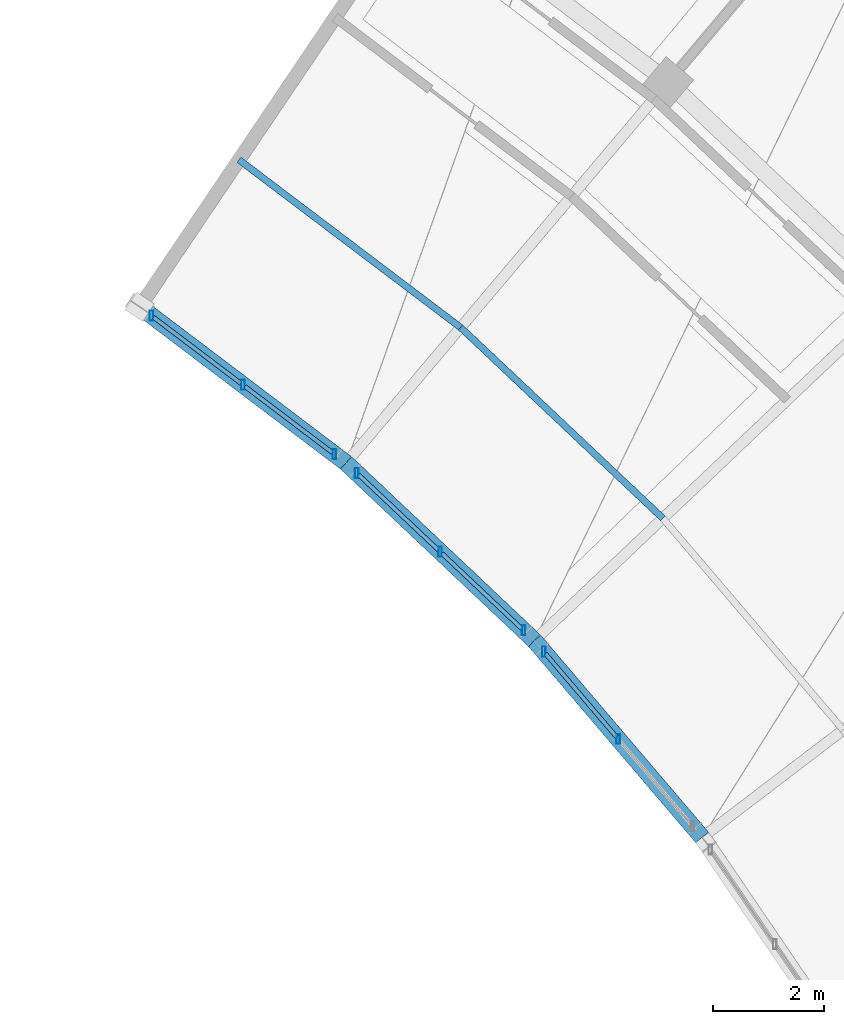
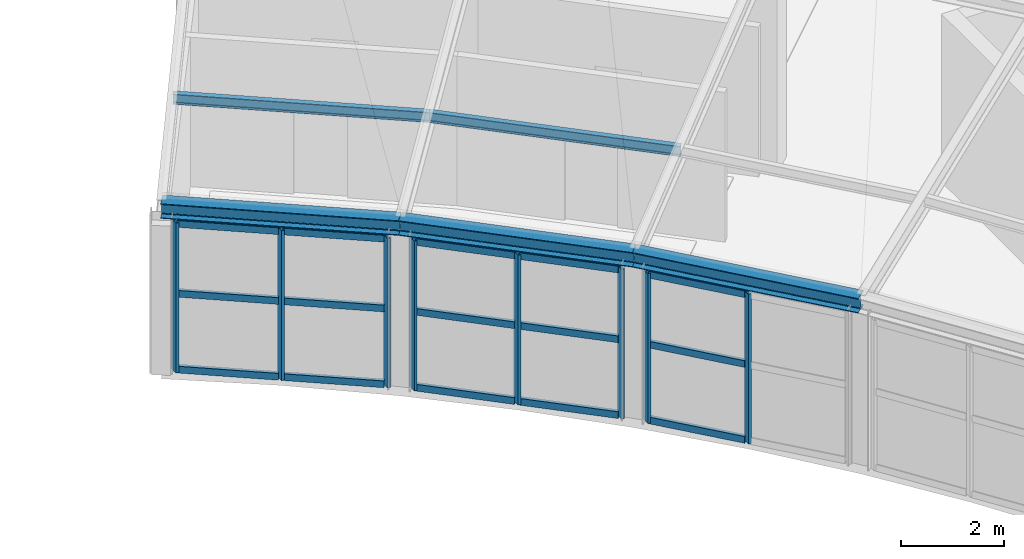
# One storey, part 11 of 36: 25 members, 3 beams, 3 elements without a shape of their own.
"""IFC4 building model written with IfcOpenShell, lengths in metres."""

import ifcopenshell
import ifcopenshell.guid

model = None  # the IFC model being written
_history = None  # IfcOwnerHistory: only IFC2X3 demands one
_inside = {}  # id of a spatial element -> (the spatial element, [elements in it])
_under = {}  # id of a project, library or spatial element -> (it, [spatial elements below it])
_declared = {}  # id of a project -> (the project, [libraries it declares])
_typed = {}  # id of a type object -> (the type object, [elements of that type])
_made_of = {}  # id of a material, layer set ... -> (it, [elements and type objects made of it])


def new_model(schema):
    """Start an empty IFC model of exactly this schema.

    Asked for "IFC4X3", IfcOpenShell would pick the latest addendum, in which some entities
    have other attributes; the version numbers below select the first issue.
    IFC2X3 requires an IfcOwnerHistory on every rooted entity: one is made here for all.
    """
    global model, _history
    if schema == "IFC4X3":
        model = ifcopenshell.file(schema_version=(4, 3, 0, 0))
    else:
        model = ifcopenshell.file(schema=schema)
    _inside.clear()
    _under.clear()
    _declared.clear()
    _typed.clear()
    _made_of.clear()
    _history = None
    if model.schema == "IFC2X3":
        org = make("IfcOrganization", Name="unknown")
        user = make(
            "IfcPersonAndOrganization",
            ThePerson=make("IfcPerson", FamilyName="unknown"),
            TheOrganization=org,
        )
        app = make(
            "IfcApplication",
            ApplicationDeveloper=org,
            Version="unknown",
            ApplicationFullName="unknown",
            ApplicationIdentifier="unknown",
        )
        _history = make(
            "IfcOwnerHistory",
            OwningUser=user,
            OwningApplication=app,
            ChangeAction="ADDED",
            CreationDate=0,
        )
    return model


def make(cls, **values):
    """One entity of the class cls with the attributes given. An attribute that is None is left unset."""
    return model.create_entity(
        cls, **{name: value for name, value in values.items() if value is not None}
    )


def rooted(cls, **values):
    """An entity with a GlobalId (a new one), such as an element, a storey or a relation."""
    return make(cls, GlobalId=ifcopenshell.guid.new(), OwnerHistory=_history, **values)


def si_unit(unit_type, name, prefix=None):
    """IfcSIUnit, for example si_unit("LENGTHUNIT", "METRE", prefix="MILLI")."""
    return make("IfcSIUnit", UnitType=unit_type, Prefix=prefix, Name=name)


def assignment(units):
    """IfcUnitAssignment: the units of a project."""
    return None if units is None else make("IfcUnitAssignment", Units=units)


def point(xyz):
    """IfcCartesianPoint."""
    return None if xyz is None else make("IfcCartesianPoint", Coordinates=xyz)


def direction(xyz):
    """IfcDirection."""
    return None if xyz is None else make("IfcDirection", DirectionRatios=xyz)


def frame(location, z_axis=None, x_axis=None):
    """IfcAxis2Placement3D, a coordinate frame: its origin and axes. An axis left out is left unset."""
    return make(
        "IfcAxis2Placement3D",
        Location=point(location),
        Axis=direction(z_axis),
        RefDirection=direction(x_axis),
    )


def frame_2d(location, x_axis=None):
    """IfcAxis2Placement2D, a coordinate frame in the plane: its origin and x axis."""
    return make(
        "IfcAxis2Placement2D", Location=point(location), RefDirection=direction(x_axis)
    )


def origin():
    """The frame at (0, 0, 0) with its axes left unset."""
    return frame((0.0, 0.0, 0.0))


def origin_2d():
    """The frame at (0, 0) in the plane with its x axis left unset."""
    return frame_2d((0.0, 0.0))


def place(relative_to, where):
    """IfcLocalPlacement: puts the frame where relative to a parent placement (None: the world)."""
    return make(
        "IfcLocalPlacement", PlacementRelTo=relative_to, RelativePlacement=where
    )


def context(
    kind, dimensions, precision=None, world=None, true_north=None, identifier=None
):
    """IfcGeometricRepresentationContext, for example the 3D "Model" context."""
    return make(
        "IfcGeometricRepresentationContext",
        ContextIdentifier=identifier,
        ContextType=kind,
        CoordinateSpaceDimension=dimensions,
        Precision=precision,
        WorldCoordinateSystem=world,
        TrueNorth=true_north,
    )


def subcontext(parent, identifier, kind, view, scale=None):
    """IfcGeometricRepresentationSubContext, for example "Body" below "Model"."""
    return make(
        "IfcGeometricRepresentationSubContext",
        ContextIdentifier=identifier,
        ContextType=kind,
        ParentContext=parent,
        TargetScale=scale,
        TargetView=view,
    )


def project(units=None, contexts=None):
    """IfcProject with its units and contexts."""
    return rooted(
        "IfcProject",
        Name="project",
        RepresentationContexts=contexts,
        UnitsInContext=assignment(units),
    )


def spatial(cls, under=None, at=None, **own):
    """A site, building, storey or space (cls), placed at a placement, below another one or the project."""
    s = rooted(cls, ObjectPlacement=at, **own)
    if under is not None:
        _under.setdefault(under.id(), (under, []))[1].append(s)
    return s


def profile(cls, at=None, kind="AREA", **sizes):
    """A parametric profile (cls). Its sizes go by their IFC names, for example OverallWidth=200.0."""
    return make(cls, ProfileType=kind, Position=at, **sizes)


def hollow_rectangle(**sizes):
    """IfcRectangleHollowProfileDef."""
    return profile("IfcRectangleHollowProfileDef", **sizes)


def i_section(**sizes):
    """IfcIShapeProfileDef."""
    return profile("IfcIShapeProfileDef", **sizes)


def extrude(swept, where, along, depth):
    """IfcExtrudedAreaSolid: the profile swept, set in the frame where, extruded along a direction by depth."""
    return make(
        "IfcExtrudedAreaSolid",
        SweptArea=swept,
        Position=where,
        ExtrudedDirection=direction(along),
        Depth=depth,
    )


def shape(context_of_items, identifier, shape_type, items):
    """IfcShapeRepresentation: the items that make up one representation, for example the "Body"."""
    return make(
        "IfcShapeRepresentation",
        ContextOfItems=context_of_items,
        RepresentationIdentifier=identifier,
        RepresentationType=shape_type,
        Items=items,
    )


def material(Name=None, Category=None):
    """IfcMaterial."""
    return make("IfcMaterial", Name=Name, Category=Category)


def material_profile(
    of_material, cross_section, Name=None, Category=None, Priority=None
):
    """IfcMaterialProfile: a cross section and its material."""
    return make(
        "IfcMaterialProfile",
        Name=Name,
        Material=of_material,
        Profile=cross_section,
        Priority=Priority,
        Category=Category,
    )


def profile_set(profiles, Name=None, composite=None):
    """IfcMaterialProfileSet."""
    return make(
        "IfcMaterialProfileSet",
        Name=Name,
        MaterialProfiles=profiles,
        CompositeProfile=composite,
    )


def made_of(thing, what):
    """Note that an element or type object is made of a material, layer set ...; save() writes the relation."""
    if what is not None:
        _made_of.setdefault(what.id(), (what, []))[1].append(thing)
    return thing


def type_object(cls, material=None, **own):
    """A type object (cls), such as IfcWallType, which elements share."""
    return made_of(rooted(cls, **own), material)


def element(
    cls,
    number,
    at=None,
    inside=None,
    cuts=None,
    type_object=None,
    material=None,
    context=None,
    identifier="Body",
    shape_type=None,
    held_by="IfcProductDefinitionShape",
    body=None,
    shapes=None,
    **own,
):
    """One element of the class cls, such as IfcWall. Its Tag is "e" and its number.

    at: its placement. inside: the storey or other place that contains it. cuts: it is an
    opening in that element (IfcRelVoidsElement). A single representation is given by context,
    identifier, shape_type and body (its items); several are given by shapes. held_by: the class
    of the entity that holds the representations. save() writes the other relations.
    """
    e = rooted(cls, Tag="e%d" % number, ObjectPlacement=at, **own)
    if body is not None:
        shapes = [shape(context, identifier, shape_type, body)]
    if shapes is not None:
        e.Representation = make(held_by, Representations=shapes)
    if inside is not None:
        _inside.setdefault(inside.id(), (inside, []))[1].append(e)
    if cuts is not None:
        rooted(
            "IfcRelVoidsElement", RelatingBuildingElement=cuts, RelatedOpeningElement=e
        )
    if type_object is not None:
        _typed.setdefault(type_object.id(), (type_object, []))[1].append(e)
    return made_of(e, material)


def aggregate(whole, parts):
    """IfcRelAggregates: a whole, such as a stair, and the parts it consists of."""
    return rooted("IfcRelAggregates", RelatingObject=whole, RelatedObjects=parts)


def save(model, path):
    """Write the relations noted so far, then the file.

    IfcRelAggregates (storeys below a building ...), IfcRelContainedInSpatialStructure (elements
    in a storey), IfcRelDefinesByType, IfcRelAssociatesMaterial and IfcRelDeclares: one each for
    every whole, place, type object, material and project.
    """
    for whole, parts in _under.values():
        aggregate(whole, parts)
    for where, things in _inside.values():
        rooted(
            "IfcRelContainedInSpatialStructure",
            RelatedElements=things,
            RelatingStructure=where,
        )
    for kind, things in _typed.values():
        rooted("IfcRelDefinesByType", RelatedObjects=things, RelatingType=kind)
    for what, things in _made_of.values():
        rooted("IfcRelAssociatesMaterial", RelatedObjects=things, RelatingMaterial=what)
    for by, libraries in _declared.values():
        rooted("IfcRelDeclares", RelatingContext=by, RelatedDefinitions=libraries)
    model.write(path)


model = new_model("IFC4")

# Units and contexts
model_context = context("Model", 3, precision=1e-05, world=origin(), true_north=direction((0.0, 1.0)))
body_context = subcontext(model_context, "Body", "Model", "MODEL_VIEW")
ifc_project = project(units=[si_unit("LENGTHUNIT", "METRE"), si_unit("AREAUNIT", "SQUARE_METRE"), si_unit("VOLUMEUNIT", "CUBIC_METRE"), si_unit("PLANEANGLEUNIT", "RADIAN"), si_unit("MASSUNIT", "GRAM", prefix="KILO")], contexts=[model_context])

# Site, building, storey
site_placement = place(None, origin())
site = spatial("IfcSite", under=ifc_project, at=site_placement, CompositionType="ELEMENT")
building_placement = place(site_placement, origin())
building = spatial("IfcBuilding", under=site, at=building_placement, Name="Tarnveldt Headland Concert Hall", CompositionType="ELEMENT")
storey_placement = place(building_placement, frame((0.0, 0.0, 22.800048828125)))
storey = spatial("IfcBuildingStorey", under=building, at=storey_placement, Name="L05", CompositionType="ELEMENT", Elevation=22.800048828125)

# Curtain wall, members
ifc_material_1 = material(Name="Marine-anodised aluminium EN AW-6063-T6", Category="aluminium")
curtain_wall_type = type_object("IfcCurtainWallType", Name="CW-C6", PredefinedType="NOTDEFINED", material=ifc_material_1)
curtain_wall_1_placement = place(storey_placement, origin())
curtain_wall_1 = element("IfcCurtainWall", 1, at=curtain_wall_1_placement, inside=storey, type_object=curtain_wall_type, Name="Curtain wall CW-L05-160", PredefinedType="NOTDEFINED")
ifc_material_profile_1 = material_profile(ifc_material_1, hollow_rectangle(XDim=0.06494140625, YDim=0.179931640625, WallThickness=0.00390625, at=origin_2d()), Name="ALU MULLION 65x180x4", Category="aluminium")
ifc_profile_set_1 = profile_set([ifc_material_profile_1], Name="Marine-anodised aluminium EN AW-6063-T6")
member_type_1 = type_object("IfcMemberType", Name="ML-180", PredefinedType="MULLION", material=ifc_profile_set_1)
member_1_placement = place(storey_placement, frame((150.17626953125, 87.853515625, 0.0), z_axis=(0.0, 0.0, 1.0), x_axis=(1.0, 0.0, 0.0)))
member_1 = element("IfcMember", 2, at=member_1_placement, type_object=member_type_1, Name="Mullion CW-L05-160-2", PredefinedType="MULLION", context=body_context, shape_type="SweptSolid", body=[
    extrude(hollow_rectangle(XDim=0.06494140625, YDim=0.179931640625, WallThickness=0.00390625, at=origin_2d()), origin(), (0.0, 0.0, 1.0), 3.550048828125),
])
member_2_placement = place(storey_placement, frame((148.834228515625, 89.427734375, 0.0), z_axis=(0.0, 0.0, 1.0), x_axis=(1.0, 0.0, 0.0)))
member_2 = element("IfcMember", 3, at=member_2_placement, type_object=member_type_1, Name="Mullion CW-L05-160-3", PredefinedType="MULLION", context=body_context, shape_type="SweptSolid", body=[
    extrude(hollow_rectangle(XDim=0.06494140625, YDim=0.179931640625, WallThickness=0.00390625, at=origin_2d()), origin(), (0.0, 0.0, 1.0), 3.550048828125),
])

curtain_wall_2_placement = place(storey_placement, origin())
curtain_wall_2 = element("IfcCurtainWall", 4, at=curtain_wall_2_placement, inside=storey, type_object=curtain_wall_type, Name="Curtain wall CW-L05-161", PredefinedType="NOTDEFINED")
member_3_placement = place(storey_placement, frame((148.469482421875, 89.811279296875, 0.0), z_axis=(0.0, 0.0, 1.0), x_axis=(1.0, 0.0, 0.0)))
member_3 = element("IfcMember", 5, at=member_3_placement, type_object=member_type_1, Name="Mullion CW-L05-161-1", PredefinedType="MULLION", context=body_context, shape_type="SweptSolid", body=[
    extrude(hollow_rectangle(XDim=0.06494140625, YDim=0.179931640625, WallThickness=0.00390625, at=origin_2d()), origin(), (0.0, 0.0, 1.0), 3.550048828125),
])
member_4_placement = place(storey_placement, frame((146.96484375, 91.23095703125, 0.0), z_axis=(0.0, 0.0, 1.0), x_axis=(1.0, 0.0, 0.0)))
member_4 = element("IfcMember", 6, at=member_4_placement, type_object=member_type_1, Name="Mullion CW-L05-161-2", PredefinedType="MULLION", context=body_context, shape_type="SweptSolid", body=[
    extrude(hollow_rectangle(XDim=0.06494140625, YDim=0.179931640625, WallThickness=0.00390625, at=origin_2d()), origin(), (0.0, 0.0, 1.0), 3.550048828125),
])
member_5_placement = place(storey_placement, frame((145.460205078125, 92.650634765625, 0.0), z_axis=(0.0, 0.0, 1.0), x_axis=(1.0, 0.0, 0.0)))
member_5 = element("IfcMember", 7, at=member_5_placement, type_object=member_type_1, Name="Mullion CW-L05-161-3", PredefinedType="MULLION", context=body_context, shape_type="SweptSolid", body=[
    extrude(hollow_rectangle(XDim=0.06494140625, YDim=0.179931640625, WallThickness=0.00390625, at=origin_2d()), origin(), (0.0, 0.0, 1.0), 3.550048828125),
])

curtain_wall_3_placement = place(storey_placement, origin())
curtain_wall_3 = element("IfcCurtainWall", 8, at=curtain_wall_3_placement, inside=storey, type_object=curtain_wall_type, Name="Curtain wall CW-L05-162", PredefinedType="NOTDEFINED")
member_6_placement = place(storey_placement, frame((145.05615234375, 92.992431640625, 0.0), z_axis=(0.0, 0.0, 1.0), x_axis=(1.0, 0.0, 0.0)))
member_6 = element("IfcMember", 9, at=member_6_placement, type_object=member_type_1, Name="Mullion CW-L05-162-1", PredefinedType="MULLION", context=body_context, shape_type="SweptSolid", body=[
    extrude(hollow_rectangle(XDim=0.06494140625, YDim=0.179931640625, WallThickness=0.00390625, at=origin_2d()), origin(), (0.0, 0.0, 1.0), 3.550048828125),
])
member_7_placement = place(storey_placement, frame((143.40625, 94.240478515625, 0.0), z_axis=(0.0, 0.0, 1.0), x_axis=(1.0, 0.0, 0.0)))
member_7 = element("IfcMember", 10, at=member_7_placement, type_object=member_type_1, Name="Mullion CW-L05-162-2", PredefinedType="MULLION", context=body_context, shape_type="SweptSolid", body=[
    extrude(hollow_rectangle(XDim=0.06494140625, YDim=0.179931640625, WallThickness=0.00390625, at=origin_2d()), origin(), (0.0, 0.0, 1.0), 3.550048828125),
])
member_8_placement = place(storey_placement, frame((141.756591796875, 95.48876953125, 0.0), z_axis=(0.0, 0.0, 1.0), x_axis=(1.0, 0.0, 0.0)))
member_8 = element("IfcMember", 11, at=member_8_placement, type_object=member_type_1, Name="Mullion CW-L05-162-3", PredefinedType="MULLION", context=body_context, shape_type="SweptSolid", body=[
    extrude(hollow_rectangle(XDim=0.06494140625, YDim=0.179931640625, WallThickness=0.00390625, at=origin_2d()), origin(), (0.0, 0.0, 1.0), 3.550048828125),
])

# Members
ifc_material_2 = material(Name="Steel S355", Category="steel")
ifc_material_profile_2 = material_profile(ifc_material_2, i_section(OverallWidth=0.1201171875, OverallDepth=0.239990234375, WebThickness=0.006103515625, FlangeThickness=0.009765625, FilletRadius=0.014892578125, at=origin_2d()), Name="IPE240", Category="steel")
ifc_profile_set_2 = profile_set([ifc_material_profile_2], Name="Steel S355")
member_type_2 = type_object("IfcMemberType", Name="PR-IPE240", PredefinedType="PURLIN", material=ifc_profile_set_2)
member_9_placement = place(storey_placement, frame((150.9814453125, 91.83447265625, 4.2080078125), z_axis=(-0.72737622938, 0.686238894943, 0.0), x_axis=(-0.686238894943, -0.72737622938, 0.0)))
element("IfcMember", 12, at=member_9_placement, inside=storey, type_object=member_type_2, Name="Crescent roof purlin 16-46", PredefinedType="PURLIN", context=body_context, shape_type="SweptSolid", body=[
    extrude(i_section(OverallWidth=0.1201171875, OverallDepth=0.239990234375, WebThickness=0.006103515625, FlangeThickness=0.009765625, FilletRadius=0.014892578125, at=origin_2d()), origin(), (0.0, 0.0, 1.0), 5.014892578125),
])
member_10_placement = place(storey_placement, frame((147.333740234375, 95.27587890625, 4.2080078125), z_axis=(-0.797469064209, 0.603359835943, 0.0), x_axis=(-0.603359835943, -0.797469064209, 0.0)))
element("IfcMember", 13, at=member_10_placement, inside=storey, type_object=member_type_2, Name="Crescent roof purlin 17-46", PredefinedType="PURLIN", context=body_context, shape_type="SweptSolid", body=[
    extrude(i_section(OverallWidth=0.1201171875, OverallDepth=0.239990234375, WebThickness=0.006103515625, FlangeThickness=0.009765625, FilletRadius=0.014892578125, at=origin_2d()), origin(), (0.0, 0.0, 1.0), 5.0146484375),
])

# Beams
ifc_material_profile_3 = material_profile(ifc_material_2, i_section(OverallWidth=0.300048828125, OverallDepth=0.35009765625, WebThickness=0.010009765625, FlangeThickness=0.017578125, FilletRadius=0.027099609375, at=origin_2d()), Name="HEA360", Category="steel")
ifc_profile_set_3 = profile_set([ifc_material_profile_3], Name="Steel S355")
beam_type = type_object("IfcBeamType", Name="SB-HEA360", PredefinedType="SPANDREL", material=ifc_profile_set_3)
for number, where, z_axis, x_axis, name in (
    (14, (151.690185546875, 86.077392578125, 3.85498046875), (-0.648721263833, 0.761026098009, 0.0), (-0.761026098009, -0.648721263833, 0.0), "Crescent L05 IN eaves girder 15"),
    (15, (148.662353515625, 89.62939453125, 3.85498046875), (-0.727364094984, 0.686251756521, 0.0), (-0.686251756521, -0.727364094984, 0.0), "Crescent L05 IN eaves girder 16"),
):
    element("IfcBeam", number, at=place(storey_placement, frame(where, z_axis=z_axis, x_axis=x_axis)), inside=storey, type_object=beam_type, Name=name, PredefinedType="SPANDREL", context=body_context, shape_type="SweptSolid", body=[
        extrude(i_section(OverallWidth=0.300048828125, OverallDepth=0.35009765625, WebThickness=0.010009765625, FlangeThickness=0.017578125, FilletRadius=0.027099609375, at=origin_2d()), origin(), (0.0, 0.0, 1.0), 4.66748046875),
    ])
beam_placement = place(storey_placement, frame((145.267333984375, 92.83251953125, 3.85498046875), z_axis=(-0.797450601932, 0.603384237015, 0.0), x_axis=(-0.603384237015, -0.797450601932, 0.0)))
element("IfcBeam", 16, at=beam_placement, inside=storey, type_object=beam_type, Name="Crescent L05 IN eaves girder 17", PredefinedType="SPANDREL", context=body_context, shape_type="SweptSolid", body=[
    extrude(i_section(OverallWidth=0.300048828125, OverallDepth=0.35009765625, WebThickness=0.010009765625, FlangeThickness=0.017578125, FilletRadius=0.027099609375, at=origin_2d()), origin(), (0.0, 0.0, 1.0), 4.667236328125),
])

# Member
ifc_material_profile_4 = material_profile(ifc_material_1, hollow_rectangle(XDim=0.074951171875, YDim=0.159912109375, WallThickness=0.00390625, at=origin_2d()), Name="ALU TRANSOM 75x160x4", Category="aluminium")
ifc_profile_set_4 = profile_set([ifc_material_profile_4], Name="Marine-anodised aluminium EN AW-6063-T6")
member_type_3 = type_object("IfcMemberType", Name="TR-160", PredefinedType="MEMBER", material=ifc_profile_set_4)
member_11_placement = place(storey_placement, frame((150.1474609375, 87.88720703125, 0.050048828125), z_axis=(-0.648696707045, 0.761047030261, 0.0), x_axis=(-0.761047030261, -0.648696707045, 0.0)))
member_11 = element("IfcMember", 17, at=member_11_placement, type_object=member_type_3, Name="Transom CW-L05-160-2-1", PredefinedType="MEMBER", context=body_context, shape_type="SweptSolid", body=[
    extrude(hollow_rectangle(XDim=0.074951171875, YDim=0.159912109375, WallThickness=0.00390625, at=origin_2d()), origin(), (0.0, 0.0, 1.0), 1.979736328125),
])

member_12_placement = place(storey_placement, frame((150.1474609375, 87.88720703125, 1.845947265625), z_axis=(-0.648696707045, 0.761047030261, 0.0), x_axis=(-0.761047030261, -0.648696707045, 0.0)))
member_12 = element("IfcMember", 18, at=member_12_placement, type_object=member_type_3, Name="Transom CW-L05-160-2-2", PredefinedType="MEMBER", context=body_context, shape_type="SweptSolid", body=[
    extrude(hollow_rectangle(XDim=0.074951171875, YDim=0.159912109375, WallThickness=0.00390625, at=origin_2d()), origin(), (0.0, 0.0, 1.0), 1.979736328125),
])

member_13_placement = place(storey_placement, frame((150.1474609375, 87.88720703125, 3.5), z_axis=(-0.648696707045, 0.761047030261, 0.0), x_axis=(-0.761047030261, -0.648696707045, 0.0)))
member_13 = element("IfcMember", 19, at=member_13_placement, type_object=member_type_3, Name="Transom CW-L05-160-2-3", PredefinedType="MEMBER", context=body_context, shape_type="SweptSolid", body=[
    extrude(hollow_rectangle(XDim=0.074951171875, YDim=0.159912109375, WallThickness=0.00390625, at=origin_2d()), origin(), (0.0, 0.0, 1.0), 1.979736328125),
])

aggregate(curtain_wall_1, [member_1, member_2, member_11, member_12, member_13])

member_14_placement = place(storey_placement, frame((148.437255859375, 89.841796875, 0.050048828125), z_axis=(-0.727341386318, 0.686275824832, 0.0), x_axis=(-0.686275824832, -0.727341386318, 0.0)))
member_14 = element("IfcMember", 20, at=member_14_placement, type_object=member_type_3, Name="Transom CW-L05-161-1-1", PredefinedType="MEMBER", context=body_context, shape_type="SweptSolid", body=[
    extrude(hollow_rectangle(XDim=0.074951171875, YDim=0.159912109375, WallThickness=0.00390625, at=origin_2d()), origin(), (0.0, 0.0, 1.0), 1.979736328125),
])

member_15_placement = place(storey_placement, frame((148.437255859375, 89.841796875, 1.845947265625), z_axis=(-0.727341386318, 0.686275824832, 0.0), x_axis=(-0.686275824832, -0.727341386318, 0.0)))
member_15 = element("IfcMember", 21, at=member_15_placement, type_object=member_type_3, Name="Transom CW-L05-161-1-2", PredefinedType="MEMBER", context=body_context, shape_type="SweptSolid", body=[
    extrude(hollow_rectangle(XDim=0.074951171875, YDim=0.159912109375, WallThickness=0.00390625, at=origin_2d()), origin(), (0.0, 0.0, 1.0), 1.979736328125),
])

member_16_placement = place(storey_placement, frame((148.437255859375, 89.841796875, 3.5), z_axis=(-0.727341386318, 0.686275824832, 0.0), x_axis=(-0.686275824832, -0.727341386318, 0.0)))
member_16 = element("IfcMember", 22, at=member_16_placement, type_object=member_type_3, Name="Transom CW-L05-161-1-3", PredefinedType="MEMBER", context=body_context, shape_type="SweptSolid", body=[
    extrude(hollow_rectangle(XDim=0.074951171875, YDim=0.159912109375, WallThickness=0.00390625, at=origin_2d()), origin(), (0.0, 0.0, 1.0), 1.979736328125),
])

member_17_placement = place(storey_placement, frame((146.9326171875, 91.261474609375, 0.050048828125), z_axis=(-0.727341386318, 0.686275824832, 0.0), x_axis=(-0.686275824832, -0.727341386318, 0.0)))
member_17 = element("IfcMember", 23, at=member_17_placement, type_object=member_type_3, Name="Transom CW-L05-161-2-1", PredefinedType="MEMBER", context=body_context, shape_type="SweptSolid", body=[
    extrude(hollow_rectangle(XDim=0.074951171875, YDim=0.159912109375, WallThickness=0.00390625, at=origin_2d()), origin(), (0.0, 0.0, 1.0), 1.979736328125),
])

member_18_placement = place(storey_placement, frame((146.9326171875, 91.261474609375, 1.845947265625), z_axis=(-0.727341386318, 0.686275824832, 0.0), x_axis=(-0.686275824832, -0.727341386318, 0.0)))
member_18 = element("IfcMember", 24, at=member_18_placement, type_object=member_type_3, Name="Transom CW-L05-161-2-2", PredefinedType="MEMBER", context=body_context, shape_type="SweptSolid", body=[
    extrude(hollow_rectangle(XDim=0.074951171875, YDim=0.159912109375, WallThickness=0.00390625, at=origin_2d()), origin(), (0.0, 0.0, 1.0), 1.979736328125),
])

member_19_placement = place(storey_placement, frame((146.9326171875, 91.261474609375, 3.5), z_axis=(-0.727341386318, 0.686275824832, 0.0), x_axis=(-0.686275824832, -0.727341386318, 0.0)))
member_19 = element("IfcMember", 25, at=member_19_placement, type_object=member_type_3, Name="Transom CW-L05-161-2-3", PredefinedType="MEMBER", context=body_context, shape_type="SweptSolid", body=[
    extrude(hollow_rectangle(XDim=0.074951171875, YDim=0.159912109375, WallThickness=0.00390625, at=origin_2d()), origin(), (0.0, 0.0, 1.0), 1.979736328125),
])

aggregate(curtain_wall_2, [member_3, member_4, member_5, member_14, member_15, member_16, member_17, member_18, member_19])

member_20_placement = place(storey_placement, frame((145.0205078125, 93.019287109375, 0.050048828125), z_axis=(-0.797476954862, 0.603349406617, 0.0), x_axis=(-0.603349406617, -0.797476954862, 0.0)))
member_20 = element("IfcMember", 26, at=member_20_placement, type_object=member_type_3, Name="Transom CW-L05-162-1-1", PredefinedType="MEMBER", context=body_context, shape_type="SweptSolid", body=[
    extrude(hollow_rectangle(XDim=0.074951171875, YDim=0.159912109375, WallThickness=0.00390625, at=origin_2d()), origin(), (0.0, 0.0, 1.0), 1.9794921875),
])

member_21_placement = place(storey_placement, frame((145.0205078125, 93.019287109375, 1.845947265625), z_axis=(-0.797476954862, 0.603349406617, 0.0), x_axis=(-0.603349406617, -0.797476954862, 0.0)))
member_21 = element("IfcMember", 27, at=member_21_placement, type_object=member_type_3, Name="Transom CW-L05-162-1-2", PredefinedType="MEMBER", context=body_context, shape_type="SweptSolid", body=[
    extrude(hollow_rectangle(XDim=0.074951171875, YDim=0.159912109375, WallThickness=0.00390625, at=origin_2d()), origin(), (0.0, 0.0, 1.0), 1.9794921875),
])

member_22_placement = place(storey_placement, frame((145.0205078125, 93.019287109375, 3.5), z_axis=(-0.797476954862, 0.603349406617, 0.0), x_axis=(-0.603349406617, -0.797476954862, 0.0)))
member_22 = element("IfcMember", 28, at=member_22_placement, type_object=member_type_3, Name="Transom CW-L05-162-1-3", PredefinedType="MEMBER", context=body_context, shape_type="SweptSolid", body=[
    extrude(hollow_rectangle(XDim=0.074951171875, YDim=0.159912109375, WallThickness=0.00390625, at=origin_2d()), origin(), (0.0, 0.0, 1.0), 1.9794921875),
])

member_23_placement = place(storey_placement, frame((143.370849609375, 94.267333984375, 0.050048828125), z_axis=(-0.797462511431, 0.603368496743, 0.0), x_axis=(-0.603368496743, -0.797462511431, 0.0)))
member_23 = element("IfcMember", 29, at=member_23_placement, type_object=member_type_3, Name="Transom CW-L05-162-2-1", PredefinedType="MEMBER", context=body_context, shape_type="SweptSolid", body=[
    extrude(hollow_rectangle(XDim=0.074951171875, YDim=0.159912109375, WallThickness=0.00390625, at=origin_2d()), origin(), (0.0, 0.0, 1.0), 1.979736328125),
])

member_24_placement = place(storey_placement, frame((143.370849609375, 94.267333984375, 1.845947265625), z_axis=(-0.797462511431, 0.603368496743, 0.0), x_axis=(-0.603368496743, -0.797462511431, 0.0)))
member_24 = element("IfcMember", 30, at=member_24_placement, type_object=member_type_3, Name="Transom CW-L05-162-2-2", PredefinedType="MEMBER", context=body_context, shape_type="SweptSolid", body=[
    extrude(hollow_rectangle(XDim=0.074951171875, YDim=0.159912109375, WallThickness=0.00390625, at=origin_2d()), origin(), (0.0, 0.0, 1.0), 1.979736328125),
])

member_25_placement = place(storey_placement, frame((143.370849609375, 94.267333984375, 3.5), z_axis=(-0.797462511431, 0.603368496743, 0.0), x_axis=(-0.603368496743, -0.797462511431, 0.0)))
member_25 = element("IfcMember", 31, at=member_25_placement, type_object=member_type_3, Name="Transom CW-L05-162-2-3", PredefinedType="MEMBER", context=body_context, shape_type="SweptSolid", body=[
    extrude(hollow_rectangle(XDim=0.074951171875, YDim=0.159912109375, WallThickness=0.00390625, at=origin_2d()), origin(), (0.0, 0.0, 1.0), 1.979736328125),
])

aggregate(curtain_wall_3, [member_6, member_7, member_8, member_20, member_21, member_22, member_23, member_24, member_25])

save(model, "model.ifc")
